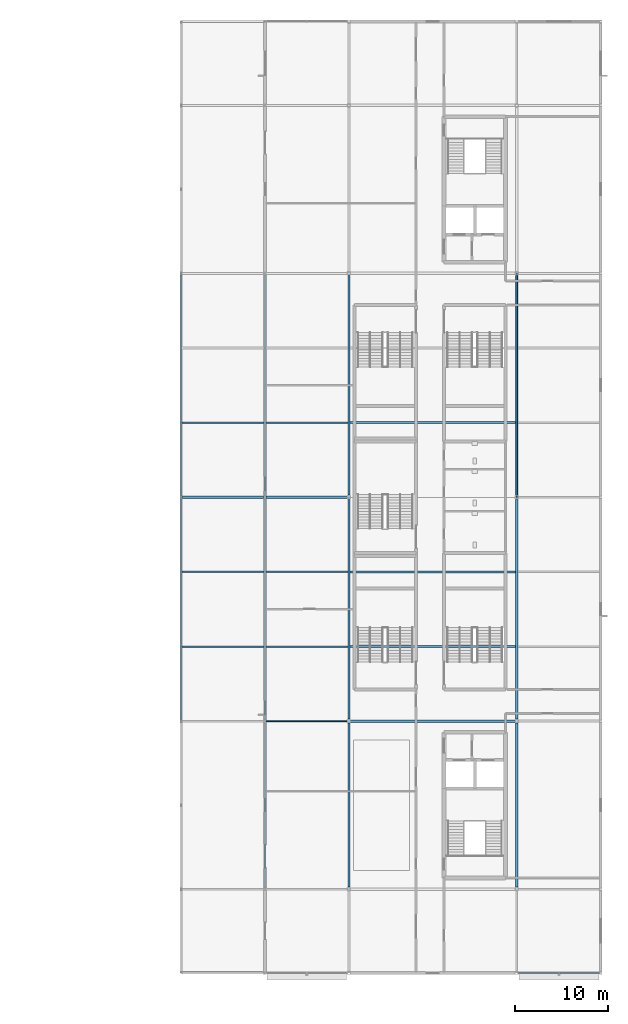
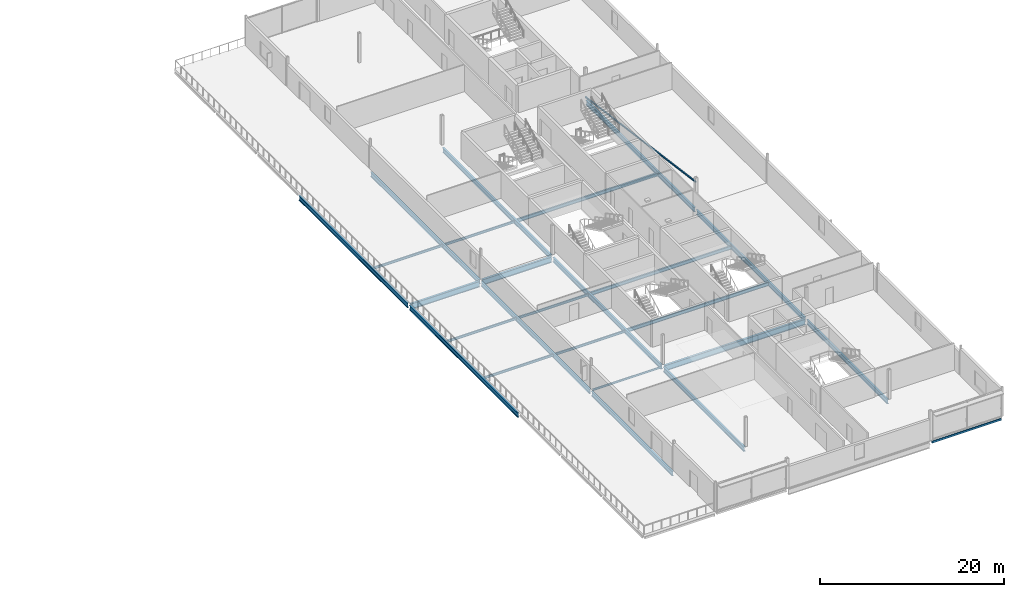
# One storey, part 22 of 55: 25 beams, 1 member.
"""IFC4 building model written with IfcOpenShell, lengths in metres."""

from ifc_helpers import new_model, si_unit, direction, frame, origin, origin_2d, place, context, subcontext, project, spatial, hollow_rectangle, i_section, extrude, material, material_profile, profile_set, type_object, element, save


model = new_model("IFC4")

# Units and contexts
model_context = context("Model", 3, precision=1e-05, world=origin(), true_north=direction((0.0, 1.0)))
body_context = subcontext(model_context, "Body", "Model", "MODEL_VIEW")
ifc_project = project(units=[si_unit("LENGTHUNIT", "METRE"), si_unit("AREAUNIT", "SQUARE_METRE"), si_unit("VOLUMEUNIT", "CUBIC_METRE"), si_unit("PLANEANGLEUNIT", "RADIAN"), si_unit("MASSUNIT", "GRAM", prefix="KILO")], contexts=[model_context])

# Site, building, storey
site_placement = place(None, origin())
site = spatial("IfcSite", under=ifc_project, at=site_placement, CompositionType="ELEMENT")
building_placement = place(site_placement, origin())
building = spatial("IfcBuilding", under=site, at=building_placement, Name="Kisiwana Market Hall", CompositionType="ELEMENT")
storey_placement = place(building_placement, frame((0.0, 0.0, 37.800048828125)))
storey = spatial("IfcBuildingStorey", under=building, at=storey_placement, Name="L08", CompositionType="ELEMENT", Elevation=37.800048828125)

# Beams
ifc_material_1 = material(Name="Steel S355", Category="steel")
ifc_material_profile_1 = material_profile(ifc_material_1, i_section(OverallWidth=0.22900390625, OverallDepth=0.6123046875, WebThickness=0.011962890625, FlangeThickness=0.01953125, at=origin_2d()), Name="UB 610x229x125")
ifc_profile_set_1 = profile_set([ifc_material_profile_1], Name="Steel S355")
beam_type_1 = type_object("IfcBeamType", Name="BM-GIRD-UB610H", PredefinedType="BEAM", material=ifc_profile_set_1)
for number, where, z_axis, x_axis, name in (
    (1, (153.0, 36.196044921875, -0.631103515625), (0.0, 1.0, 0.0), (-1.0, 0.0, 0.0), "Floor beam B-2211"),
    (2, (153.0, 60.196044921875, -0.631103515625), (0.0, 1.0, 0.0), (-1.0, 0.0, 0.0), "Floor beam B-2212"),
):
    element("IfcBeam", number, at=place(storey_placement, frame(where, z_axis=z_axis, x_axis=x_axis)), inside=storey, type_object=beam_type_1, Name=name, PredefinedType="BEAM", context=body_context, shape_type="SweptSolid", body=[
        extrude(i_section(OverallWidth=0.22900390625, OverallDepth=0.6123046875, WebThickness=0.011962890625, FlangeThickness=0.01953125, at=origin_2d()), origin(), (0.0, 0.0, 1.0), 23.60791015625),
    ])
for number, where, z_axis, x_axis, name in (
    (3, (171.0, 36.220947265625, -0.55126953125), (0.0, 1.0, 0.0), (-1.0, 0.0, 0.0), "Floor beam B-2216"),
    (4, (171.0, 60.220947265625, -0.55126953125), (0.0, 1.0, 0.0), (-1.0, 0.0, 0.0), "Floor beam B-2217"),
):
    element("IfcBeam", number, at=place(storey_placement, frame(where, z_axis=z_axis, x_axis=x_axis)), inside=storey, type_object=beam_type_1, Name=name, PredefinedType="BEAM", context=body_context, shape_type="SweptSolid", body=[
        extrude(i_section(OverallWidth=0.22900390625, OverallDepth=0.6123046875, WebThickness=0.011962890625, FlangeThickness=0.01953125, at=origin_2d()), origin(), (0.0, 0.0, 1.0), 23.55810546875),
    ])
beam_1_placement = place(storey_placement, frame((162.0, 18.196044921875, -0.631103515625), z_axis=(0.0, 1.0, 0.0), x_axis=(-1.0, 0.0, 0.0)))
element("IfcBeam", 5, at=beam_1_placement, inside=storey, type_object=beam_type_1, Name="Primary girder B-2095", PredefinedType="BEAM", context=body_context, shape_type="SweptSolid", body=[
    extrude(i_section(OverallWidth=0.22900390625, OverallDepth=0.6123046875, WebThickness=0.011962890625, FlangeThickness=0.01953125, at=origin_2d()), origin(), (0.0, 0.0, 1.0), 17.60791015625),
])
for number, where, z_axis, x_axis, name in (
    (6, (162.0, 36.196044921875, -0.631103515625), (0.0, 1.0, 0.0), (-1.0, 0.0, 0.0), "Primary girder B-2096"),
    (7, (162.0, 60.196044921875, -0.631103515625), (0.0, 1.0, 0.0), (-1.0, 0.0, 0.0), "Primary girder B-2097"),
):
    element("IfcBeam", number, at=place(storey_placement, frame(where, z_axis=z_axis, x_axis=x_axis)), inside=storey, type_object=beam_type_1, Name=name, PredefinedType="BEAM", context=body_context, shape_type="SweptSolid", body=[
        extrude(i_section(OverallWidth=0.22900390625, OverallDepth=0.6123046875, WebThickness=0.011962890625, FlangeThickness=0.01953125, at=origin_2d()), origin(), (0.0, 0.0, 1.0), 23.60791015625),
    ])
for number, where, z_axis, x_axis, name in (
    (8, (171.0, 18.220947265625, -0.55126953125), (0.0, 1.0, 0.0), (-1.0, 0.0, 0.0), "Primary girder B-2101"),
    (9, (189.0, 18.220947265625, -0.55126953125), (0.0, 1.0, 0.0), (-1.0, 0.0, 0.0), "Primary girder B-2105"),
):
    element("IfcBeam", number, at=place(storey_placement, frame(where, z_axis=z_axis, x_axis=x_axis)), inside=storey, type_object=beam_type_1, Name=name, PredefinedType="BEAM", context=body_context, shape_type="SweptSolid", body=[
        extrude(i_section(OverallWidth=0.22900390625, OverallDepth=0.6123046875, WebThickness=0.011962890625, FlangeThickness=0.01953125, at=origin_2d()), origin(), (0.0, 0.0, 1.0), 17.55810546875),
    ])
for number, where, z_axis, x_axis, name in (
    (10, (189.0, 36.220947265625, -0.55126953125), (0.0, 1.0, 0.0), (-1.0, 0.0, 0.0), "Primary girder B-2106"),
    (11, (189.0, 60.220947265625, -0.55126953125), (0.0, 1.0, 0.0), (-1.0, 0.0, 0.0), "Primary girder B-2107"),
):
    element("IfcBeam", number, at=place(storey_placement, frame(where, z_axis=z_axis, x_axis=x_axis)), inside=storey, type_object=beam_type_1, Name=name, PredefinedType="BEAM", context=body_context, shape_type="SweptSolid", body=[
        extrude(i_section(OverallWidth=0.22900390625, OverallDepth=0.6123046875, WebThickness=0.011962890625, FlangeThickness=0.01953125, at=origin_2d()), origin(), (0.0, 0.0, 1.0), 23.55810546875),
    ])
ifc_material_2 = material(Name="Steel S355", Category="steel")
ifc_material_profile_2 = material_profile(ifc_material_2, i_section(OverallWidth=0.2666015625, OverallDepth=0.76220703125, WebThickness=0.014404296875, FlangeThickness=0.021484375, at=origin_2d()), Name="UB 762x267x173")
ifc_profile_set_2 = profile_set([ifc_material_profile_2], Name="Steel S355")
beam_type_2 = type_object("IfcBeamType", Name="BM-GIRD-UB762", PredefinedType="BEAM", material=ifc_profile_set_2)
beam_2_placement = place(storey_placement, frame((171.14599609375, 36.0, -0.626220703125), z_axis=(1.0, 0.0, 0.0), x_axis=(0.0, 1.0, 0.0)))
element("IfcBeam", 12, at=beam_2_placement, inside=storey, type_object=beam_type_2, Name="Floor beam B-2164", PredefinedType="BEAM", context=body_context, shape_type="SweptSolid", body=[
    extrude(i_section(OverallWidth=0.2666015625, OverallDepth=0.76220703125, WebThickness=0.014404296875, FlangeThickness=0.021484375, at=origin_2d()), origin(), (0.0, 0.0, 1.0), 17.7080078125),
])
for number, where, z_axis, x_axis, name in (
    (13, (153.14599609375, 60.0, -0.7060546875), (1.0, 0.0, 0.0), (0.0, 1.0, 0.0), "Floor beam B-2167"),
    (14, (162.14599609375, 60.0, -0.626220703125), (1.0, 0.0, 0.0), (0.0, 1.0, 0.0), "Floor beam B-2075"),
):
    element("IfcBeam", number, at=place(storey_placement, frame(where, z_axis=z_axis, x_axis=x_axis)), inside=storey, type_object=beam_type_2, Name=name, PredefinedType="BEAM", context=body_context, shape_type="SweptSolid", body=[
        extrude(i_section(OverallWidth=0.2666015625, OverallDepth=0.76220703125, WebThickness=0.014404296875, FlangeThickness=0.021484375, at=origin_2d()), origin(), (0.0, 0.0, 1.0), 8.7080078125),
    ])
ifc_material_3 = material(Name="Steel S355", Category="steel")
ifc_material_profile_3 = material_profile(ifc_material_3, i_section(OverallWidth=0.102294921875, OverallDepth=0.260498046875, WebThickness=0.00634765625, FlangeThickness=0.010009765625, FilletRadius=0.007568359375, at=origin_2d()), Name="UB 254x102x28")
ifc_profile_set_3 = profile_set([ifc_material_profile_3], Name="Steel S355")
beam_type_3 = type_object("IfcBeamType", Name="BM-JOIST-UB028", PredefinedType="JOIST", material=ifc_profile_set_3)
beam_3_placement = place(storey_placement, frame((162.14599609375, 36.0, -0.375244140625), z_axis=(1.0, 0.0, 0.0), x_axis=(0.0, 1.0, 0.0)))
element("IfcBeam", 15, at=beam_3_placement, inside=storey, type_object=beam_type_3, Name="Floor beam B-2163", PredefinedType="JOIST", context=body_context, shape_type="SweptSolid", body=[
    extrude(i_section(OverallWidth=0.102294921875, OverallDepth=0.260498046875, WebThickness=0.00634765625, FlangeThickness=0.010009765625, FilletRadius=0.007568359375, at=origin_2d()), origin(), (0.0, 0.0, 1.0), 8.7080078125),
])
ifc_material_4 = material(Name="Steel S355", Category="steel")
ifc_material_profile_4 = material_profile(ifc_material_4, i_section(OverallWidth=0.165771484375, OverallDepth=0.306640625, WebThickness=0.006591796875, FlangeThickness=0.01171875, at=origin_2d()), Name="UB 305x165x46")
ifc_profile_set_4 = profile_set([ifc_material_profile_4], Name="Steel S355")
beam_type_4 = type_object("IfcBeamType", Name="BM-JOIST-UB305H", PredefinedType="JOIST", material=ifc_profile_set_4)
for number, where, z_axis, x_axis, name in (
    (16, (153.113525390625, 44.0, -0.478271484375), (1.0, 0.0, 0.0), (0.0, 1.0, 0.0), "Secondary floor joist B-2114"),
    (17, (162.113525390625, 44.0, -0.478271484375), (1.0, 0.0, 0.0), (0.0, 1.0, 0.0), "Secondary floor joist B-2115"),
    (18, (153.113525390625, 52.0, -0.478271484375), (1.0, 0.0, 0.0), (0.0, 1.0, 0.0), "Secondary floor joist B-2122"),
    (19, (162.113525390625, 52.0, -0.478271484375), (1.0, 0.0, 0.0), (0.0, 1.0, 0.0), "Secondary floor joist B-2123"),
    (20, (153.113525390625, 68.0, -0.478271484375), (1.0, 0.0, 0.0), (0.0, 1.0, 0.0), "Secondary floor joist B-2130"),
    (21, (162.113525390625, 68.0, -0.478271484375), (1.0, 0.0, 0.0), (0.0, 1.0, 0.0), "Secondary floor joist B-2131"),
):
    element("IfcBeam", number, at=place(storey_placement, frame(where, z_axis=z_axis, x_axis=x_axis)), inside=storey, type_object=beam_type_4, Name=name, PredefinedType="JOIST", context=body_context, shape_type="SweptSolid", body=[
        extrude(i_section(OverallWidth=0.165771484375, OverallDepth=0.306640625, WebThickness=0.006591796875, FlangeThickness=0.01171875, at=origin_2d()), origin(), (0.0, 0.0, 1.0), 8.77294921875),
    ])
ifc_material_5 = material(Name="Steel S355", Category="steel")
ifc_material_profile_5 = material_profile(ifc_material_5, i_section(OverallWidth=0.18994140625, OverallDepth=0.453369140625, WebThickness=0.008544921875, FlangeThickness=0.0126953125, at=origin_2d()), Name="UB 457x191x67")
ifc_profile_set_5 = profile_set([ifc_material_profile_5], Name="Steel S355")
beam_type_5 = type_object("IfcBeamType", Name="BM-JOIST-UB457", PredefinedType="JOIST", material=ifc_profile_set_5)
for number, where, z_axis, x_axis, name in (
    (22, (171.113525390625, 44.0, -0.4716796875), (1.0, 0.0, 0.0), (0.0, 1.0, 0.0), "Secondary floor joist B-2116"),
    (23, (171.113525390625, 52.0, -0.4716796875), (1.0, 0.0, 0.0), (0.0, 1.0, 0.0), "Secondary floor joist B-2124"),
    (24, (171.113525390625, 68.0, -0.4716796875), (1.0, 0.0, 0.0), (0.0, 1.0, 0.0), "Secondary floor joist B-2132"),
):
    element("IfcBeam", number, at=place(storey_placement, frame(where, z_axis=z_axis, x_axis=x_axis)), inside=storey, type_object=beam_type_5, Name=name, PredefinedType="JOIST", context=body_context, shape_type="SweptSolid", body=[
        extrude(i_section(OverallWidth=0.18994140625, OverallDepth=0.453369140625, WebThickness=0.008544921875, FlangeThickness=0.0126953125, at=origin_2d()), origin(), (0.0, 0.0, 1.0), 17.77294921875),
    ])
ifc_material_6 = material(Name="Steel S355", Category="steel")
ifc_material_profile_6 = material_profile(ifc_material_6, hollow_rectangle(XDim=0.14990234375, YDim=0.25, WallThickness=0.010009765625, at=origin_2d()), Name="RHS 250x150x10.0")
ifc_profile_set_6 = profile_set([ifc_material_profile_6], Name="Steel S355")
beam_type_6 = type_object("IfcBeamType", Name="BM-SPAN-RHS250", PredefinedType="SPANDREL", material=ifc_profile_set_6)
beam_4_placement = place(storey_placement, frame((189.14599609375, 9.0, -0.3701171875), z_axis=(1.0, 0.0, 0.0), x_axis=(0.0, 1.0, 0.0)))
element("IfcBeam", 25, at=beam_4_placement, inside=storey, type_object=beam_type_6, Name="Floor beam B-2149", PredefinedType="SPANDREL", context=body_context, shape_type="SweptSolid", body=[
    extrude(hollow_rectangle(XDim=0.14990234375, YDim=0.25, WallThickness=0.010009765625, at=origin_2d()), origin(), (0.0, 0.0, 1.0), 8.7080078125),
])

# Member
ifc_material_7 = material(Name="Steel S355", Category="steel")
ifc_material_profile_7 = material_profile(ifc_material_7, hollow_rectangle(XDim=0.14990234375, YDim=0.14990234375, WallThickness=0.008056640625, at=origin_2d()), Name="SHS 150x150x8")
ifc_profile_set_7 = profile_set([ifc_material_profile_7], Name="Steel S355")
member_type = type_object("IfcMemberType", Name="MB-CBF-SHS150", PredefinedType="BRACE", material=ifc_profile_set_7)
member_placement = place(storey_placement, frame((189.0, 84.0, 0.0), z_axis=(0.0, -0.990873420957, 0.134795636581), x_axis=(1.0, 0.0, 0.0)))
element("IfcMember", 26, at=member_placement, inside=storey, type_object=member_type, Name="CBF-E-S diagonal brace (L08) M-0036", PredefinedType="BRACE", context=body_context, shape_type="SweptSolid", body=[
    extrude(hollow_rectangle(XDim=0.14990234375, YDim=0.14990234375, WallThickness=0.008056640625, at=origin_2d()), origin(), (0.0, 0.0, 1.0), 24.220947265625),
])

save(model, "model.ifc")
